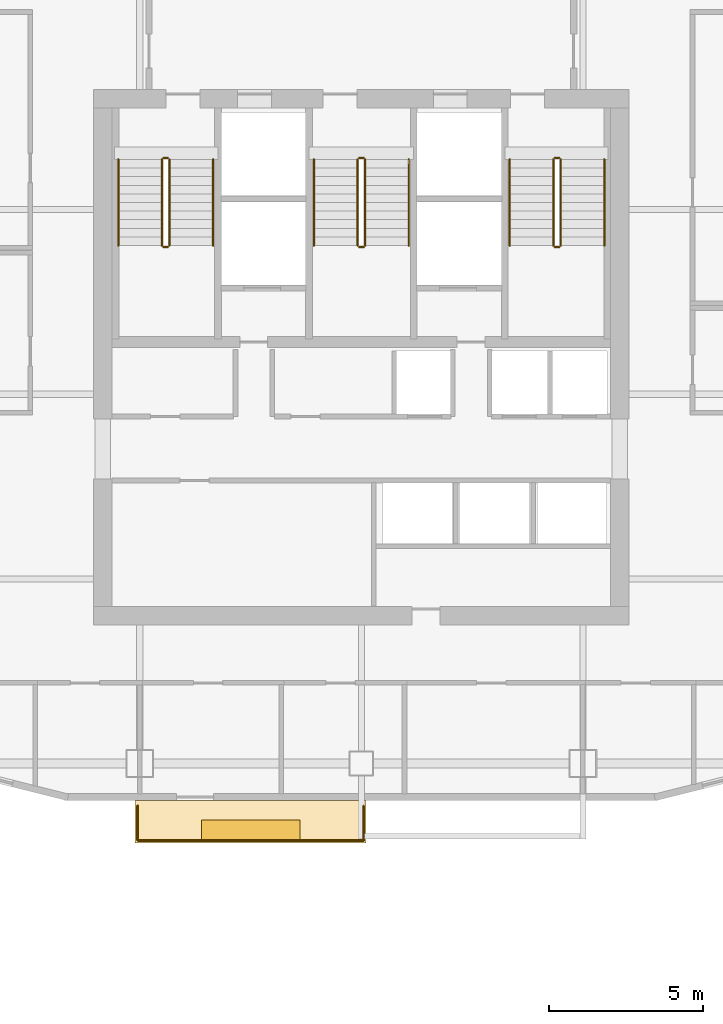
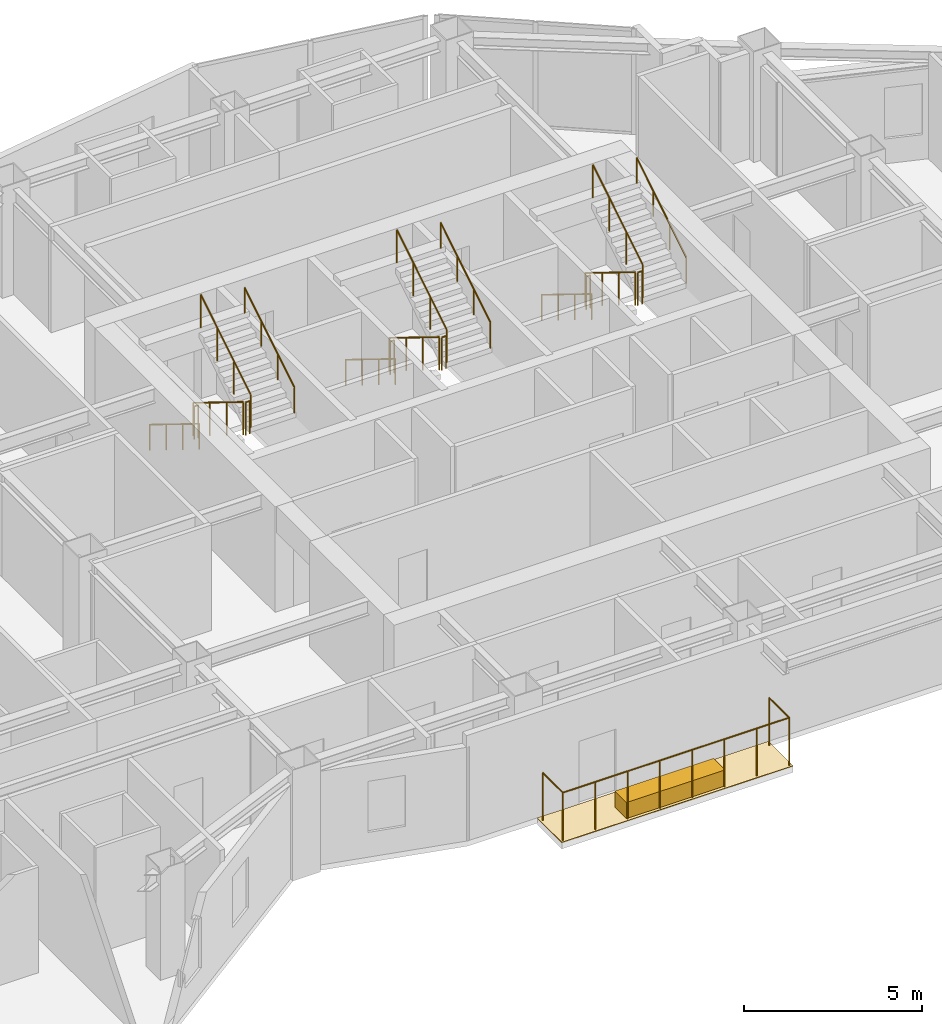
# One storey, part 11 of 12: 20 railings, 2 coverings.
"""IFC4 building model written with IfcOpenShell, lengths in metres."""

from ifc_helpers import new_model, si_unit, direction, frame, origin, origin_2d, place, context, subcontext, project, spatial, polyline, rectangle, circle, outline, extrude, material, layer, layer_set, type_object, element, save


model = new_model("IFC4")

# Units and contexts
model_context = context("Model", 3, precision=1e-05, world=origin(), true_north=direction((0.0, 1.0)))
body_context = subcontext(model_context, "Body", "Model", "MODEL_VIEW")
ifc_project = project(units=[si_unit("LENGTHUNIT", "METRE"), si_unit("AREAUNIT", "SQUARE_METRE"), si_unit("VOLUMEUNIT", "CUBIC_METRE"), si_unit("PLANEANGLEUNIT", "RADIAN"), si_unit("MASSUNIT", "GRAM", prefix="KILO")], contexts=[model_context])

# Site, building, storey
site_placement = place(None, origin())
site = spatial("IfcSite", under=ifc_project, at=site_placement, CompositionType="ELEMENT")
building_placement = place(site_placement, origin())
building = spatial("IfcBuilding", under=site, at=building_placement, Name="Haolan Belvedere Tower", CompositionType="ELEMENT")
storey_placement = place(building_placement, frame((0.0, 0.0, 195.60009765625)))
storey = spatial("IfcBuildingStorey", under=building, at=storey_placement, Name="L49", CompositionType="ELEMENT", Elevation=195.60009765625)

# Coverings
ifc_material_1 = material(Name="Engineered lightweight planted garden soil substrate", Category="masonry")
ifc_layer_1 = layer(ifc_material_1, 0.550048828125, Name="Engineered lightweight planted garden soil substrate")
ifc_layer_set_1 = layer_set([ifc_layer_1], Name="Engineered lightweight planted garden soil substrate")
covering_type_1 = type_object("IfcCoveringType", Name="COV-PLANT-550", PredefinedType="MEMBRANE", material=ifc_layer_set_1)
covering_1_placement = place(storey_placement, frame((34.800048828125, 19.43994140625, 0.0), z_axis=(0.0, 0.0, 1.0), x_axis=(1.0, 0.0, 0.0)))
element("IfcCovering", 1, at=covering_1_placement, inside=storey, type_object=covering_type_1, Name="L49 structural tree balcony PLANTER box 1", PredefinedType="MEMBRANE", context=body_context, shape_type="SweptSolid", body=[
    extrude(rectangle(XDim=3.199951171875, YDim=0.64990234375, at=origin_2d()), origin(), (0.0, 0.0, 1.0), 0.550048828125),
])
ifc_material_2 = material(Name="Elastomeric waterproof roofing membrane and stone pavers", Category="masonry")
ifc_layer_2 = layer(ifc_material_2, 0.02001953125, Name="Elastomeric waterproof roofing membrane and stone pavers")
ifc_layer_set_2 = layer_set([ifc_layer_2], Name="Elastomeric waterproof roofing membrane and stone pavers")
covering_type_2 = type_object("IfcCoveringType", Name="COV-ROOF-20", PredefinedType="ROOFING", material=ifc_layer_set_2)
covering_2_placement = place(storey_placement, frame((0.0, 0.0, -0.02001953125)))
element("IfcCovering", 2, at=covering_2_placement, inside=storey, type_object=covering_type_2, Name="L49 tree-balcony waterproof membrane 1", PredefinedType="ROOFING", context=body_context, shape_type="SweptSolid", body=[
    extrude(outline(polyline([(31.050048828125, 19.02001953125), (38.550048828125, 19.02001953125), (38.550048828125, 20.39990234375), (31.050048828125, 20.39990234375), (31.050048828125, 19.02001953125)])), origin(), (0.0, 0.0, 1.0), 0.02001953125),
])

# Railings
ifc_material_3 = material(Name="Brushed stainless steel 304", Category="steel")
railing_type_1 = type_object("IfcRailingType", Name="RL-STAIR-GRD-1150", PredefinedType="GUARDRAIL", material=ifc_material_3)
railing_1_placement = place(storey_placement, frame((31.919921875, 41.22998046875, 0.172607421875)))
element("IfcRailing", 3, at=railing_1_placement, inside=storey, type_object=railing_type_1, Name="L49 ST1 stair guard 1", PredefinedType="GUARDRAIL", context=body_context, shape_type="SweptSolid", body=[
    extrude(circle(Radius=0.02392578125, at=origin_2d()), frame((0.0, 0.0, 1.1259765625), z_axis=(0.0, -0.851089632645, 0.525020415988), x_axis=(1.0, 0.0, 0.0)), (0.0, 0.0, 1.0), 3.2900390625),
    extrude(circle(Radius=0.02099609375, at=origin_2d()), origin(), (0.0, 0.0, 1.0), 1.101806640625),
    extrude(circle(Radius=0.02099609375, at=origin_2d()), frame((0.0, -0.933349609375, 0.57568359375)), (0.0, 0.0, 1.0), 1.101806640625),
    extrude(circle(Radius=0.02099609375, at=origin_2d()), frame((0.0, -1.86669921875, 1.151611328125)), (0.0, 0.0, 1.0), 1.101806640625),
    extrude(circle(Radius=0.02099609375, at=origin_2d()), frame((0.0, -2.800048828125, 1.727294921875)), (0.0, 0.0, 1.0), 1.101806640625),
])
railing_2_placement = place(storey_placement, frame((31.969970703125, 38.3798828125, 1.89990234375)))
element("IfcRailing", 4, at=railing_2_placement, inside=storey, type_object=railing_type_1, Name="L49 ST1 stair guard 2", PredefinedType="GUARDRAIL", context=body_context, shape_type="SweptSolid", body=[
    extrude(circle(Radius=0.02392578125, at=origin_2d()), frame((0.0, 0.0, 1.1259765625), z_axis=(1.0, 0.0, 0.0), x_axis=(0.0, 1.0, 0.0)), (0.0, 0.0, 1.0), 0.14013671875),
    extrude(circle(Radius=0.02099609375, at=origin_2d()), origin(), (0.0, 0.0, 1.0), 1.101806640625),
    extrude(circle(Radius=0.02099609375, at=origin_2d()), frame((0.14013671875, 0.0, 0.0)), (0.0, 0.0, 1.0), 1.101806640625),
])
railing_3_placement = place(storey_placement, frame((32.159912109375, 38.429931640625, 2.072509765625)))
element("IfcRailing", 5, at=railing_3_placement, inside=storey, type_object=railing_type_1, Name="L49 ST1 stair guard 3", PredefinedType="GUARDRAIL", context=body_context, shape_type="SweptSolid", body=[
    extrude(circle(Radius=0.02392578125, at=origin_2d()), frame((0.0, 0.0, 1.1259765625), z_axis=(0.0, 0.851089632645, 0.525020415988), x_axis=(-1.0, 0.0, 0.0)), (0.0, 0.0, 1.0), 3.2900390625),
    extrude(circle(Radius=0.02099609375, at=origin_2d()), origin(), (0.0, 0.0, 1.0), 1.101806640625),
    extrude(circle(Radius=0.02099609375, at=origin_2d()), frame((0.0, 0.933349609375, 0.57568359375)), (0.0, 0.0, 1.0), 1.101806640625),
    extrude(circle(Radius=0.02099609375, at=origin_2d()), frame((0.0, 1.86669921875, 1.151611328125)), (0.0, 0.0, 1.0), 1.101806640625),
    extrude(circle(Radius=0.02099609375, at=origin_2d()), frame((0.0, 2.800048828125, 1.727294921875)), (0.0, 0.0, 1.0), 1.101806640625),
])
railing_4_placement = place(storey_placement, frame((31.969970703125, 41.280029296875, 0.0)))
element("IfcRailing", 6, at=railing_4_placement, inside=storey, type_object=railing_type_1, Name="L49 ST1 stair guard 4", PredefinedType="GUARDRAIL", context=body_context, shape_type="SweptSolid", body=[
    extrude(circle(Radius=0.02392578125, at=origin_2d()), frame((0.0, 0.0, 1.1259765625), z_axis=(1.0, 0.0, 0.0), x_axis=(0.0, 1.0, 0.0)), (0.0, 0.0, 1.0), 0.14013671875),
    extrude(circle(Radius=0.02099609375, at=origin_2d()), origin(), (0.0, 0.0, 1.0), 1.101806640625),
    extrude(circle(Radius=0.02099609375, at=origin_2d()), frame((0.14013671875, 0.0, 0.0)), (0.0, 0.0, 1.0), 1.101806640625),
])
railing_5_placement = place(storey_placement, frame((38.280029296875, 41.22998046875, 0.172607421875)))
element("IfcRailing", 7, at=railing_5_placement, inside=storey, type_object=railing_type_1, Name="L49 ST3 stair guard 1", PredefinedType="GUARDRAIL", context=body_context, shape_type="SweptSolid", body=[
    extrude(circle(Radius=0.02392578125, at=origin_2d()), frame((0.0, 0.0, 1.1259765625), z_axis=(0.0, -0.851089632645, 0.525020415988), x_axis=(1.0, 0.0, 0.0)), (0.0, 0.0, 1.0), 3.2900390625),
    extrude(circle(Radius=0.02099609375, at=origin_2d()), origin(), (0.0, 0.0, 1.0), 1.101806640625),
    extrude(circle(Radius=0.02099609375, at=origin_2d()), frame((0.0, -0.933349609375, 0.57568359375)), (0.0, 0.0, 1.0), 1.101806640625),
    extrude(circle(Radius=0.02099609375, at=origin_2d()), frame((0.0, -1.86669921875, 1.151611328125)), (0.0, 0.0, 1.0), 1.101806640625),
    extrude(circle(Radius=0.02099609375, at=origin_2d()), frame((0.0, -2.800048828125, 1.727294921875)), (0.0, 0.0, 1.0), 1.101806640625),
])
railing_6_placement = place(storey_placement, frame((38.330078125, 38.3798828125, 1.89990234375)))
element("IfcRailing", 8, at=railing_6_placement, inside=storey, type_object=railing_type_1, Name="L49 ST3 stair guard 2", PredefinedType="GUARDRAIL", context=body_context, shape_type="SweptSolid", body=[
    extrude(circle(Radius=0.02392578125, at=origin_2d()), frame((0.0, 0.0, 1.1259765625), z_axis=(1.0, 0.0, 0.0), x_axis=(0.0, 1.0, 0.0)), (0.0, 0.0, 1.0), 0.139892578125),
    extrude(circle(Radius=0.02099609375, at=origin_2d()), origin(), (0.0, 0.0, 1.0), 1.101806640625),
    extrude(circle(Radius=0.02099609375, at=origin_2d()), frame((0.139892578125, 0.0, 0.0)), (0.0, 0.0, 1.0), 1.101806640625),
])
railing_7_placement = place(storey_placement, frame((38.52001953125, 38.429931640625, 2.072509765625)))
element("IfcRailing", 9, at=railing_7_placement, inside=storey, type_object=railing_type_1, Name="L49 ST3 stair guard 3", PredefinedType="GUARDRAIL", context=body_context, shape_type="SweptSolid", body=[
    extrude(circle(Radius=0.02392578125, at=origin_2d()), frame((0.0, 0.0, 1.1259765625), z_axis=(0.0, 0.851089632645, 0.525020415988), x_axis=(-1.0, 0.0, 0.0)), (0.0, 0.0, 1.0), 3.2900390625),
    extrude(circle(Radius=0.02099609375, at=origin_2d()), origin(), (0.0, 0.0, 1.0), 1.101806640625),
    extrude(circle(Radius=0.02099609375, at=origin_2d()), frame((0.0, 0.933349609375, 0.57568359375)), (0.0, 0.0, 1.0), 1.101806640625),
    extrude(circle(Radius=0.02099609375, at=origin_2d()), frame((0.0, 1.86669921875, 1.151611328125)), (0.0, 0.0, 1.0), 1.101806640625),
    extrude(circle(Radius=0.02099609375, at=origin_2d()), frame((0.0, 2.800048828125, 1.727294921875)), (0.0, 0.0, 1.0), 1.101806640625),
])
railing_8_placement = place(storey_placement, frame((38.330078125, 41.280029296875, 0.0)))
element("IfcRailing", 10, at=railing_8_placement, inside=storey, type_object=railing_type_1, Name="L49 ST3 stair guard 4", PredefinedType="GUARDRAIL", context=body_context, shape_type="SweptSolid", body=[
    extrude(circle(Radius=0.02392578125, at=origin_2d()), frame((0.0, 0.0, 1.1259765625), z_axis=(1.0, 0.0, 0.0), x_axis=(0.0, 1.0, 0.0)), (0.0, 0.0, 1.0), 0.139892578125),
    extrude(circle(Radius=0.02099609375, at=origin_2d()), origin(), (0.0, 0.0, 1.0), 1.101806640625),
    extrude(circle(Radius=0.02099609375, at=origin_2d()), frame((0.139892578125, 0.0, 0.0)), (0.0, 0.0, 1.0), 1.101806640625),
])
railing_9_placement = place(storey_placement, frame((44.639892578125, 41.22998046875, 0.172607421875)))
element("IfcRailing", 11, at=railing_9_placement, inside=storey, type_object=railing_type_1, Name="L49 ST2 stair guard 1", PredefinedType="GUARDRAIL", context=body_context, shape_type="SweptSolid", body=[
    extrude(circle(Radius=0.02392578125, at=origin_2d()), frame((0.0, 0.0, 1.1259765625), z_axis=(0.0, -0.851089632645, 0.525020415988), x_axis=(1.0, 0.0, 0.0)), (0.0, 0.0, 1.0), 3.2900390625),
    extrude(circle(Radius=0.02099609375, at=origin_2d()), origin(), (0.0, 0.0, 1.0), 1.101806640625),
    extrude(circle(Radius=0.02099609375, at=origin_2d()), frame((0.0, -0.933349609375, 0.57568359375)), (0.0, 0.0, 1.0), 1.101806640625),
    extrude(circle(Radius=0.02099609375, at=origin_2d()), frame((0.0, -1.86669921875, 1.151611328125)), (0.0, 0.0, 1.0), 1.101806640625),
    extrude(circle(Radius=0.02099609375, at=origin_2d()), frame((0.0, -2.800048828125, 1.727294921875)), (0.0, 0.0, 1.0), 1.101806640625),
])
railing_10_placement = place(storey_placement, frame((44.68994140625, 38.3798828125, 1.89990234375)))
element("IfcRailing", 12, at=railing_10_placement, inside=storey, type_object=railing_type_1, Name="L49 ST2 stair guard 2", PredefinedType="GUARDRAIL", context=body_context, shape_type="SweptSolid", body=[
    extrude(circle(Radius=0.02392578125, at=origin_2d()), frame((0.0, 0.0, 1.1259765625), z_axis=(1.0, 0.0, 0.0), x_axis=(0.0, 1.0, 0.0)), (0.0, 0.0, 1.0), 0.14013671875),
    extrude(circle(Radius=0.02099609375, at=origin_2d()), origin(), (0.0, 0.0, 1.0), 1.101806640625),
    extrude(circle(Radius=0.02099609375, at=origin_2d()), frame((0.14013671875, 0.0, 0.0)), (0.0, 0.0, 1.0), 1.101806640625),
])
railing_11_placement = place(storey_placement, frame((44.8798828125, 38.429931640625, 2.072509765625)))
element("IfcRailing", 13, at=railing_11_placement, inside=storey, type_object=railing_type_1, Name="L49 ST2 stair guard 3", PredefinedType="GUARDRAIL", context=body_context, shape_type="SweptSolid", body=[
    extrude(circle(Radius=0.02392578125, at=origin_2d()), frame((0.0, 0.0, 1.1259765625), z_axis=(0.0, 0.851089632645, 0.525020415988), x_axis=(-1.0, 0.0, 0.0)), (0.0, 0.0, 1.0), 3.2900390625),
    extrude(circle(Radius=0.02099609375, at=origin_2d()), origin(), (0.0, 0.0, 1.0), 1.101806640625),
    extrude(circle(Radius=0.02099609375, at=origin_2d()), frame((0.0, 0.933349609375, 0.57568359375)), (0.0, 0.0, 1.0), 1.101806640625),
    extrude(circle(Radius=0.02099609375, at=origin_2d()), frame((0.0, 1.86669921875, 1.151611328125)), (0.0, 0.0, 1.0), 1.101806640625),
    extrude(circle(Radius=0.02099609375, at=origin_2d()), frame((0.0, 2.800048828125, 1.727294921875)), (0.0, 0.0, 1.0), 1.101806640625),
])
railing_12_placement = place(storey_placement, frame((44.68994140625, 41.280029296875, 0.0)))
element("IfcRailing", 14, at=railing_12_placement, inside=storey, type_object=railing_type_1, Name="L49 ST2 stair guard 4", PredefinedType="GUARDRAIL", context=body_context, shape_type="SweptSolid", body=[
    extrude(circle(Radius=0.02392578125, at=origin_2d()), frame((0.0, 0.0, 1.1259765625), z_axis=(1.0, 0.0, 0.0), x_axis=(0.0, 1.0, 0.0)), (0.0, 0.0, 1.0), 0.14013671875),
    extrude(circle(Radius=0.02099609375, at=origin_2d()), origin(), (0.0, 0.0, 1.0), 1.101806640625),
    extrude(circle(Radius=0.02099609375, at=origin_2d()), frame((0.14013671875, 0.0, 0.0)), (0.0, 0.0, 1.0), 1.101806640625),
])
railing_type_2 = type_object("IfcRailingType", Name="RL-STAIR-HND-900", PredefinedType="HANDRAIL", material=ifc_material_3)
railing_13_placement = place(storey_placement, frame((30.5, 41.22998046875, 0.172607421875)))
element("IfcRailing", 15, at=railing_13_placement, inside=storey, type_object=railing_type_2, Name="L49 ST1 stair handrail 1", PredefinedType="HANDRAIL", context=body_context, shape_type="SweptSolid", body=[
    extrude(circle(Radius=0.02392578125, at=origin_2d()), frame((0.0, 0.0, 0.8759765625), z_axis=(0.0, -0.851089632645, 0.525020415988), x_axis=(1.0, 0.0, 0.0)), (0.0, 0.0, 1.0), 3.2900390625),
    extrude(circle(Radius=0.02099609375, at=origin_2d()), origin(), (0.0, 0.0, 1.0), 0.851806640625),
    extrude(circle(Radius=0.02099609375, at=origin_2d()), frame((0.0, -0.933349609375, 0.57568359375)), (0.0, 0.0, 1.0), 0.851806640625),
    extrude(circle(Radius=0.02099609375, at=origin_2d()), frame((0.0, -1.86669921875, 1.151611328125)), (0.0, 0.0, 1.0), 0.851806640625),
    extrude(circle(Radius=0.02099609375, at=origin_2d()), frame((0.0, -2.800048828125, 1.727294921875)), (0.0, 0.0, 1.0), 0.851806640625),
])
railing_14_placement = place(storey_placement, frame((33.580078125, 38.429931640625, 2.072509765625)))
element("IfcRailing", 16, at=railing_14_placement, inside=storey, type_object=railing_type_2, Name="L49 ST1 stair handrail 2", PredefinedType="HANDRAIL", context=body_context, shape_type="SweptSolid", body=[
    extrude(circle(Radius=0.02392578125, at=origin_2d()), frame((0.0, 0.0, 0.8759765625), z_axis=(0.0, 0.851089632645, 0.525020415988), x_axis=(-1.0, 0.0, 0.0)), (0.0, 0.0, 1.0), 3.2900390625),
    extrude(circle(Radius=0.02099609375, at=origin_2d()), origin(), (0.0, 0.0, 1.0), 0.851806640625),
    extrude(circle(Radius=0.02099609375, at=origin_2d()), frame((0.0, 0.933349609375, 0.57568359375)), (0.0, 0.0, 1.0), 0.851806640625),
    extrude(circle(Radius=0.02099609375, at=origin_2d()), frame((0.0, 1.86669921875, 1.151611328125)), (0.0, 0.0, 1.0), 0.851806640625),
    extrude(circle(Radius=0.02099609375, at=origin_2d()), frame((0.0, 2.800048828125, 1.727294921875)), (0.0, 0.0, 1.0), 0.851806640625),
])
railing_15_placement = place(storey_placement, frame((36.860107421875, 41.22998046875, 0.172607421875)))
element("IfcRailing", 17, at=railing_15_placement, inside=storey, type_object=railing_type_2, Name="L49 ST3 stair handrail 1", PredefinedType="HANDRAIL", context=body_context, shape_type="SweptSolid", body=[
    extrude(circle(Radius=0.02392578125, at=origin_2d()), frame((0.0, 0.0, 0.8759765625), z_axis=(0.0, -0.851089632645, 0.525020415988), x_axis=(1.0, 0.0, 0.0)), (0.0, 0.0, 1.0), 3.2900390625),
    extrude(circle(Radius=0.02099609375, at=origin_2d()), origin(), (0.0, 0.0, 1.0), 0.851806640625),
    extrude(circle(Radius=0.02099609375, at=origin_2d()), frame((0.0, -0.933349609375, 0.57568359375)), (0.0, 0.0, 1.0), 0.851806640625),
    extrude(circle(Radius=0.02099609375, at=origin_2d()), frame((0.0, -1.86669921875, 1.151611328125)), (0.0, 0.0, 1.0), 0.851806640625),
    extrude(circle(Radius=0.02099609375, at=origin_2d()), frame((0.0, -2.800048828125, 1.727294921875)), (0.0, 0.0, 1.0), 0.851806640625),
])
railing_16_placement = place(storey_placement, frame((39.93994140625, 38.429931640625, 2.072509765625)))
element("IfcRailing", 18, at=railing_16_placement, inside=storey, type_object=railing_type_2, Name="L49 ST3 stair handrail 2", PredefinedType="HANDRAIL", context=body_context, shape_type="SweptSolid", body=[
    extrude(circle(Radius=0.02392578125, at=origin_2d()), frame((0.0, 0.0, 0.8759765625), z_axis=(0.0, 0.851089632645, 0.525020415988), x_axis=(-1.0, 0.0, 0.0)), (0.0, 0.0, 1.0), 3.2900390625),
    extrude(circle(Radius=0.02099609375, at=origin_2d()), origin(), (0.0, 0.0, 1.0), 0.851806640625),
    extrude(circle(Radius=0.02099609375, at=origin_2d()), frame((0.0, 0.933349609375, 0.57568359375)), (0.0, 0.0, 1.0), 0.851806640625),
    extrude(circle(Radius=0.02099609375, at=origin_2d()), frame((0.0, 1.86669921875, 1.151611328125)), (0.0, 0.0, 1.0), 0.851806640625),
    extrude(circle(Radius=0.02099609375, at=origin_2d()), frame((0.0, 2.800048828125, 1.727294921875)), (0.0, 0.0, 1.0), 0.851806640625),
])
railing_17_placement = place(storey_placement, frame((43.219970703125, 41.22998046875, 0.172607421875)))
element("IfcRailing", 19, at=railing_17_placement, inside=storey, type_object=railing_type_2, Name="L49 ST2 stair handrail 1", PredefinedType="HANDRAIL", context=body_context, shape_type="SweptSolid", body=[
    extrude(circle(Radius=0.02392578125, at=origin_2d()), frame((0.0, 0.0, 0.8759765625), z_axis=(0.0, -0.851089632645, 0.525020415988), x_axis=(1.0, 0.0, 0.0)), (0.0, 0.0, 1.0), 3.2900390625),
    extrude(circle(Radius=0.02099609375, at=origin_2d()), origin(), (0.0, 0.0, 1.0), 0.851806640625),
    extrude(circle(Radius=0.02099609375, at=origin_2d()), frame((0.0, -0.933349609375, 0.57568359375)), (0.0, 0.0, 1.0), 0.851806640625),
    extrude(circle(Radius=0.02099609375, at=origin_2d()), frame((0.0, -1.86669921875, 1.151611328125)), (0.0, 0.0, 1.0), 0.851806640625),
    extrude(circle(Radius=0.02099609375, at=origin_2d()), frame((0.0, -2.800048828125, 1.727294921875)), (0.0, 0.0, 1.0), 0.851806640625),
])
railing_18_placement = place(storey_placement, frame((46.300048828125, 38.429931640625, 2.072509765625)))
element("IfcRailing", 20, at=railing_18_placement, inside=storey, type_object=railing_type_2, Name="L49 ST2 stair handrail 2", PredefinedType="HANDRAIL", context=body_context, shape_type="SweptSolid", body=[
    extrude(circle(Radius=0.02392578125, at=origin_2d()), frame((0.0, 0.0, 0.8759765625), z_axis=(0.0, 0.851089632645, 0.525020415988), x_axis=(-1.0, 0.0, 0.0)), (0.0, 0.0, 1.0), 3.2900390625),
    extrude(circle(Radius=0.02099609375, at=origin_2d()), origin(), (0.0, 0.0, 1.0), 0.851806640625),
    extrude(circle(Radius=0.02099609375, at=origin_2d()), frame((0.0, 0.933349609375, 0.57568359375)), (0.0, 0.0, 1.0), 0.851806640625),
    extrude(circle(Radius=0.02099609375, at=origin_2d()), frame((0.0, 1.86669921875, 1.151611328125)), (0.0, 0.0, 1.0), 0.851806640625),
    extrude(circle(Radius=0.02099609375, at=origin_2d()), frame((0.0, 2.800048828125, 1.727294921875)), (0.0, 0.0, 1.0), 0.851806640625),
])
ifc_material_4 = material(Name="Anodised aluminium and laminated glass balustrade", Category="aluminium")
railing_type_3 = type_object("IfcRailingType", Name="RL-TER-BAL-1150", PredefinedType="BALUSTRADE", material=ifc_material_4)
railing_19_placement = place(storey_placement, frame((31.1298828125, 19.10009765625, 0.0)))
element("IfcRailing", 21, at=railing_19_placement, inside=storey, type_object=railing_type_3, Name="L49 outdoor perimeter balustrade BAL-L49-1-1", PredefinedType="BALUSTRADE", context=body_context, shape_type="SweptSolid", body=[
    extrude(circle(Radius=0.02392578125, at=origin_2d()), frame((0.0, 0.0, 1.6259765625), z_axis=(0.0, 1.0, 0.0), x_axis=(-1.0, 0.0, 0.0)), (0.0, 0.0, 1.0), 1.119873046875),
    extrude(circle(Radius=0.02099609375, at=origin_2d()), origin(), (0.0, 0.0, 1.0), 1.601806640625),
    extrude(circle(Radius=0.02099609375, at=origin_2d()), frame((0.0, 1.119873046875, 0.0)), (0.0, 0.0, 1.0), 1.601806640625),
])
railing_20_placement = place(storey_placement, frame((38.469970703125, 20.219970703125, 0.0)))
element("IfcRailing", 22, at=railing_20_placement, inside=storey, type_object=railing_type_3, Name="L49 outdoor perimeter balustrade BAL-L49-1-2", PredefinedType="BALUSTRADE", context=body_context, shape_type="SweptSolid", body=[
    extrude(circle(Radius=0.02392578125, at=origin_2d()), frame((0.0, 0.0, 1.6259765625), z_axis=(0.0, -1.0, 0.0), x_axis=(1.0, 0.0, 0.0)), (0.0, 0.0, 1.0), 1.119873046875),
    extrude(circle(Radius=0.02392578125, at=origin_2d()), frame((0.0, -1.119873046875, 1.6259765625), z_axis=(-1.0, 0.0, 0.0), x_axis=(0.0, -1.0, 0.0)), (0.0, 0.0, 1.0), 7.340087890625),
    extrude(circle(Radius=0.02099609375, at=origin_2d()), origin(), (0.0, 0.0, 1.0), 1.601806640625),
    extrude(circle(Radius=0.02099609375, at=origin_2d()), frame((0.0, -1.119873046875, 0.0)), (0.0, 0.0, 1.0), 1.601806640625),
    extrude(circle(Radius=0.02099609375, at=origin_2d()), frame((-1.048583984375, -1.119873046875, 0.0)), (0.0, 0.0, 1.0), 1.601806640625),
    extrude(circle(Radius=0.02099609375, at=origin_2d()), frame((-2.09716796875, -1.119873046875, 0.0)), (0.0, 0.0, 1.0), 1.601806640625),
    extrude(circle(Radius=0.02099609375, at=origin_2d()), frame((-3.145751953125, -1.119873046875, 0.0)), (0.0, 0.0, 1.0), 1.601806640625),
    extrude(circle(Radius=0.02099609375, at=origin_2d()), frame((-4.1943359375, -1.119873046875, 0.0)), (0.0, 0.0, 1.0), 1.601806640625),
    extrude(circle(Radius=0.02099609375, at=origin_2d()), frame((-5.242919921875, -1.119873046875, 0.0)), (0.0, 0.0, 1.0), 1.601806640625),
    extrude(circle(Radius=0.02099609375, at=origin_2d()), frame((-6.29150390625, -1.119873046875, 0.0)), (0.0, 0.0, 1.0), 1.601806640625),
    extrude(circle(Radius=0.02099609375, at=origin_2d()), frame((-7.340087890625, -1.119873046875, 0.0)), (0.0, 0.0, 1.0), 1.601806640625),
])

save(model, "model.ifc")
